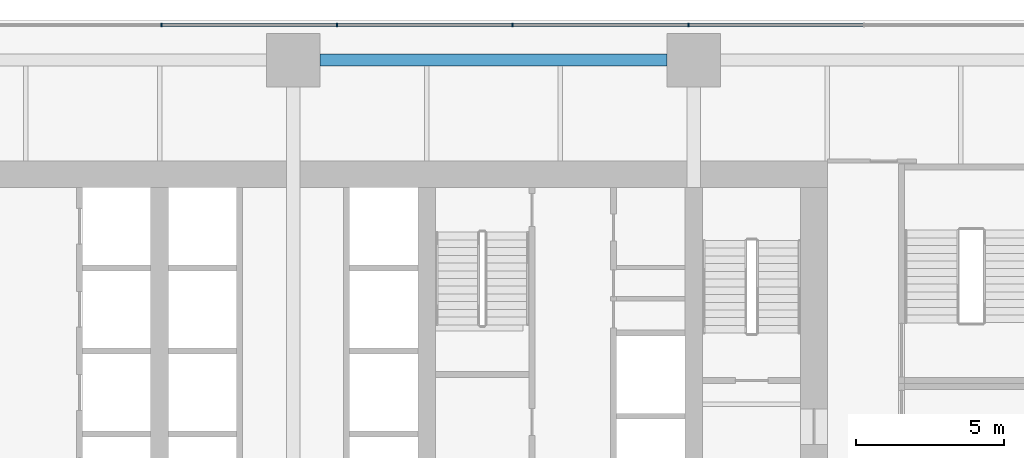
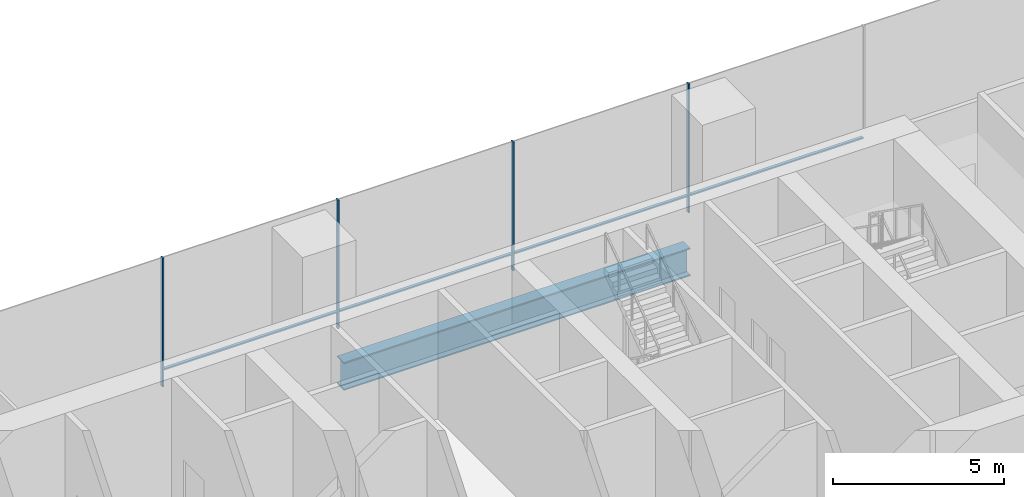
# One storey, part 13 of 28: 8 members, 1 beam, 1 element without a shape of its own.
"""IFC4 building model written with IfcOpenShell, lengths in metres."""

from ifc_helpers import new_model, si_unit, direction, frame, origin, origin_2d, place, context, subcontext, project, spatial, rectangle, i_section, extrude, material, layer, layer_set, material_profile, profile_set, type_object, element, aggregate, save


model = new_model("IFC4")

# Units and contexts
model_context = context("Model", 3, precision=1e-05, world=origin(), true_north=direction((0.0, 1.0)))
body_context = subcontext(model_context, "Body", "Model", "MODEL_VIEW")
ifc_project = project(units=[si_unit("LENGTHUNIT", "METRE"), si_unit("AREAUNIT", "SQUARE_METRE"), si_unit("VOLUMEUNIT", "CUBIC_METRE"), si_unit("PLANEANGLEUNIT", "RADIAN"), si_unit("MASSUNIT", "GRAM", prefix="KILO")], contexts=[model_context])

# Site, building, storey
site_placement = place(None, origin())
site = spatial("IfcSite", under=ifc_project, at=site_placement, CompositionType="ELEMENT")
building_placement = place(site_placement, origin())
building = spatial("IfcBuilding", under=site, at=building_placement, Name="Rattan Terrace Tower", CompositionType="ELEMENT")
storey_placement = place(building_placement, frame((0.0, 0.0, 17.39990234375)))
storey = spatial("IfcBuildingStorey", under=building, at=storey_placement, Name="L03", CompositionType="ELEMENT", Elevation=17.39990234375)

# Beam
ifc_material_1 = material(Name="Steel S460", Category="steel")
ifc_material_profile_1 = material_profile(ifc_material_1, i_section(OverallWidth=0.39990234375, OverallDepth=1.0, WebThickness=0.01806640625, FlangeThickness=0.044921875, at=origin_2d()), Name="PG 1000x400-18-45")
ifc_profile_set_1 = profile_set([ifc_material_profile_1], Name="Steel S460")
beam_type = type_object("IfcBeamType", Name="Frame podium girder PG 1000x400-18-45", PredefinedType="USERDEFINED", material=ifc_profile_set_1)
beam_placement = place(storey_placement, frame((0.89990234375, 10.89990234375, -0.699951171875), z_axis=(1.0, 0.0, 0.0), x_axis=(0.0, 1.0, 0.0)))
element("IfcBeam", 1, at=beam_placement, inside=storey, type_object=beam_type, Name="gdr-L03-049", ObjectType="PODIUM GIRDER", PredefinedType="USERDEFINED", context=body_context, shape_type="SweptSolid", body=[
    extrude(i_section(OverallWidth=0.39990234375, OverallDepth=1.0, WebThickness=0.01806640625, FlangeThickness=0.044921875, at=origin_2d()), origin(), (0.0, 0.0, 1.0), 11.7001953125),
])

# Curtain wall, members
ifc_material_2 = material(Name="Aluminium and glass", Category="aluminium")
ifc_layer = layer(ifc_material_2, 0.1201171875)
ifc_layer_set = layer_set([ifc_layer], Name="Station Storefront Curtain Wall")
curtain_wall_type = type_object("IfcCurtainWallType", Name="Station Storefront Curtain Wall", PredefinedType="NOTDEFINED", material=ifc_layer_set)
curtain_wall_placement = place(storey_placement, origin())
curtain_wall = element("IfcCurtainWall", 2, at=curtain_wall_placement, inside=storey, type_object=curtain_wall_type, Name="Storefront curtain wall L03-2", PredefinedType="NOTDEFINED")
ifc_material_3 = material(Name="Aluminium", Category="aluminium")
ifc_material_profile_2 = material_profile(ifc_material_3, rectangle(XDim=0.050048828125, YDim=0.1201171875, at=origin_2d()), Name="Aluminium 50x120")
ifc_profile_set_2 = profile_set([ifc_material_profile_2], Name="Aluminium")
member_type_1 = type_object("IfcMemberType", Name="Storefront CW Mullion 50x120", PredefinedType="MULLION", material=ifc_profile_set_2)
member_1_placement = place(storey_placement, frame((13.320068359375, 12.080078125, 0.0), z_axis=(0.0, 0.0, 1.0), x_axis=(-1.0, 0.0, 0.0)))
member_1 = element("IfcMember", 3, at=member_1_placement, type_object=member_type_1, Name="Mullion cwl-L03-002.5", PredefinedType="MULLION", context=body_context, shape_type="SweptSolid", body=[
    extrude(rectangle(XDim=0.050048828125, YDim=0.1201171875, at=origin_2d()), origin(), (0.0, 0.0, 1.0), 4.60009765625),
])
member_2_placement = place(storey_placement, frame((7.39990234375, 12.080078125, 0.0), z_axis=(0.0, 0.0, 1.0), x_axis=(-1.0, 0.0, 0.0)))
member_2 = element("IfcMember", 4, at=member_2_placement, type_object=member_type_1, Name="Mullion cwl-L03-002.6", PredefinedType="MULLION", context=body_context, shape_type="SweptSolid", body=[
    extrude(rectangle(XDim=0.050048828125, YDim=0.1201171875, at=origin_2d()), origin(), (0.0, 0.0, 1.0), 4.60009765625),
])
member_3_placement = place(storey_placement, frame((1.47998046875, 12.080078125, 0.0), z_axis=(0.0, 0.0, 1.0), x_axis=(-1.0, 0.0, 0.0)))
member_3 = element("IfcMember", 5, at=member_3_placement, type_object=member_type_1, Name="Mullion cwl-L03-002.7", PredefinedType="MULLION", context=body_context, shape_type="SweptSolid", body=[
    extrude(rectangle(XDim=0.050048828125, YDim=0.1201171875, at=origin_2d()), origin(), (0.0, 0.0, 1.0), 4.60009765625),
])
member_4_placement = place(storey_placement, frame((-4.43994140625, 12.080078125, 0.0), z_axis=(0.0, 0.0, 1.0), x_axis=(-1.0, 0.0, 0.0)))
member_4 = element("IfcMember", 6, at=member_4_placement, type_object=member_type_1, Name="Mullion cwl-L03-002.8", PredefinedType="MULLION", context=body_context, shape_type="SweptSolid", body=[
    extrude(rectangle(XDim=0.050048828125, YDim=0.1201171875, at=origin_2d()), origin(), (0.0, 0.0, 1.0), 4.60009765625),
])
ifc_material_4 = material(Name="Aluminium", Category="aluminium")
ifc_material_profile_3 = material_profile(ifc_material_4, rectangle(XDim=0.10009765625, YDim=0.050048828125, at=origin_2d()), Name="Aluminium 100x50")
ifc_profile_set_3 = profile_set([ifc_material_profile_3], Name="Aluminium")
member_type_2 = type_object("IfcMemberType", Name="Storefront CW Transom 100x50", PredefinedType="USERDEFINED", material=ifc_profile_set_3)
member_5_placement = place(storey_placement, frame((19.215087890625, 12.080078125, 0.60009765625), z_axis=(-1.0, 0.0, 0.0), x_axis=(0.0, -1.0, 0.0)))
member_5 = element("IfcMember", 7, at=member_5_placement, type_object=member_type_2, Name="Transom cwl-L03-002.4", ObjectType="TRANSOM", PredefinedType="USERDEFINED", context=body_context, shape_type="SweptSolid", body=[
    extrude(rectangle(XDim=0.10009765625, YDim=0.050048828125, at=origin_2d()), origin(), (0.0, 0.0, 1.0), 5.8701171875),
])
member_6_placement = place(storey_placement, frame((13.294921875, 12.080078125, 0.60009765625), z_axis=(-1.0, 0.0, 0.0), x_axis=(0.0, -1.0, 0.0)))
member_6 = element("IfcMember", 8, at=member_6_placement, type_object=member_type_2, Name="Transom cwl-L03-002.5", ObjectType="TRANSOM", PredefinedType="USERDEFINED", context=body_context, shape_type="SweptSolid", body=[
    extrude(rectangle(XDim=0.10009765625, YDim=0.050048828125, at=origin_2d()), origin(), (0.0, 0.0, 1.0), 5.869873046875),
])
member_7_placement = place(storey_placement, frame((7.375, 12.080078125, 0.60009765625), z_axis=(-1.0, 0.0, 0.0), x_axis=(0.0, -1.0, 0.0)))
member_7 = element("IfcMember", 9, at=member_7_placement, type_object=member_type_2, Name="Transom cwl-L03-002.6", ObjectType="TRANSOM", PredefinedType="USERDEFINED", context=body_context, shape_type="SweptSolid", body=[
    extrude(rectangle(XDim=0.10009765625, YDim=0.050048828125, at=origin_2d()), origin(), (0.0, 0.0, 1.0), 5.8701171875),
])
member_8_placement = place(storey_placement, frame((1.455078125, 12.080078125, 0.60009765625), z_axis=(-1.0, 0.0, 0.0), x_axis=(0.0, -1.0, 0.0)))
member_8 = element("IfcMember", 10, at=member_8_placement, type_object=member_type_2, Name="Transom cwl-L03-002.7", ObjectType="TRANSOM", PredefinedType="USERDEFINED", context=body_context, shape_type="SweptSolid", body=[
    extrude(rectangle(XDim=0.10009765625, YDim=0.050048828125, at=origin_2d()), origin(), (0.0, 0.0, 1.0), 5.8701171875),
])
aggregate(curtain_wall, [member_1, member_2, member_3, member_4, member_5, member_6, member_7, member_8])

save(model, "model.ifc")
